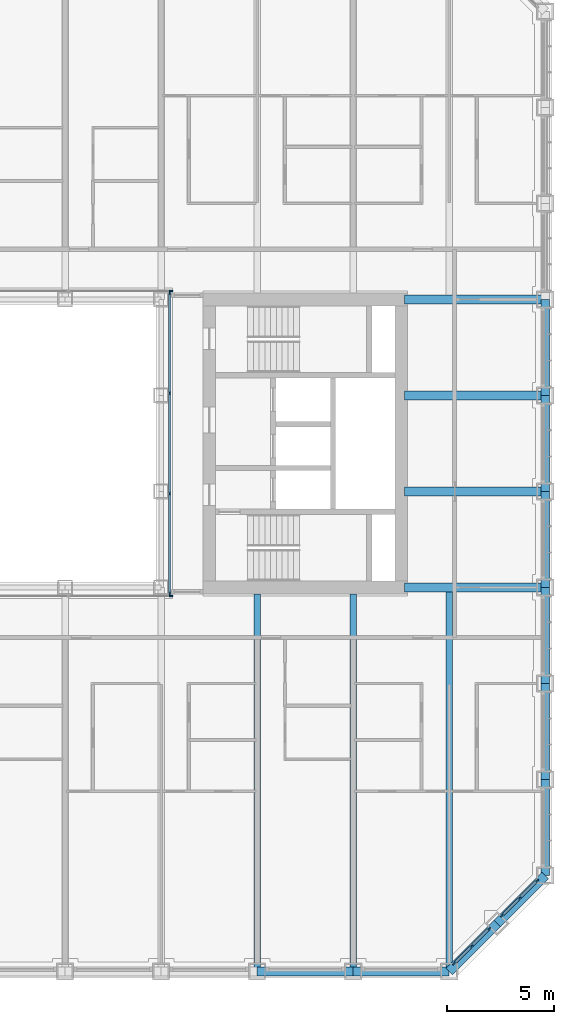
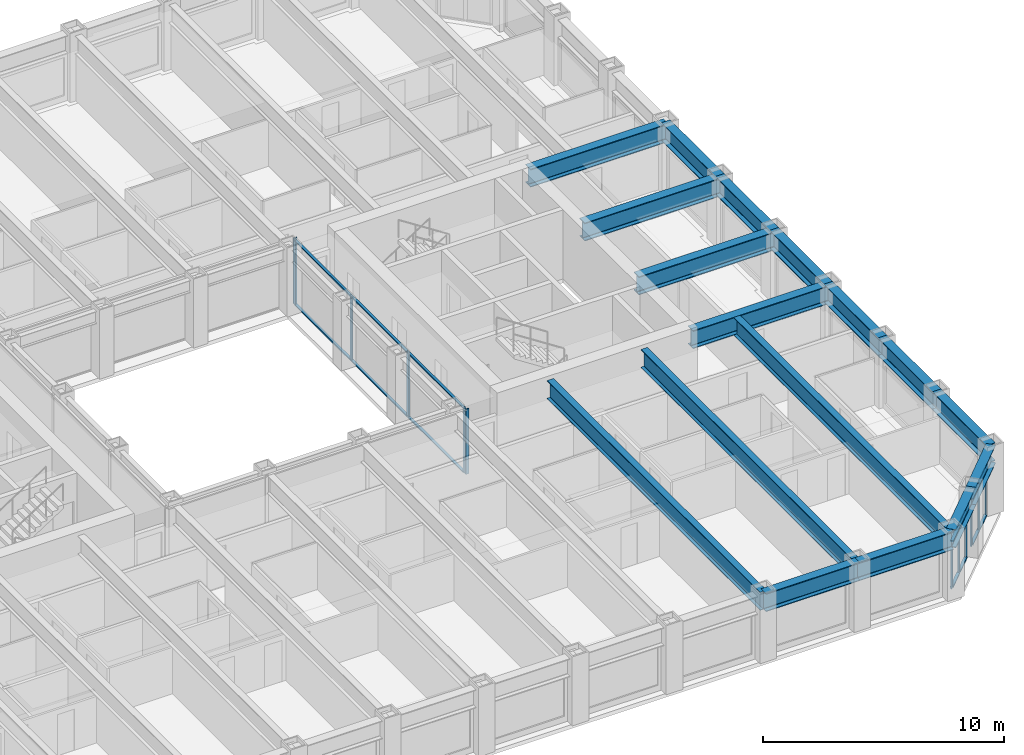
# One storey, part 5 of 21: 26 members, 17 beams, 5 elements without a shape of their own.
"""IFC4 building model written with IfcOpenShell, lengths in metres."""

from ifc_helpers import new_model, si_unit, direction, frame, origin, origin_2d, place, context, subcontext, project, spatial, rectangle, i_section, extrude, material, material_profile, profile_set, type_object, element, aggregate, save


model = new_model("IFC4")

# Units and contexts
model_context = context("Model", 3, precision=1e-05, world=origin(), true_north=direction((0.0, 1.0)))
body_context = subcontext(model_context, "Body", "Model", "MODEL_VIEW")
ifc_project = project(units=[si_unit("LENGTHUNIT", "METRE"), si_unit("AREAUNIT", "SQUARE_METRE"), si_unit("VOLUMEUNIT", "CUBIC_METRE"), si_unit("PLANEANGLEUNIT", "RADIAN"), si_unit("MASSUNIT", "GRAM", prefix="KILO")], contexts=[model_context])

# Site, building, storey
site_placement = place(None, origin())
site = spatial("IfcSite", under=ifc_project, at=site_placement, CompositionType="ELEMENT")
building_placement = place(site_placement, origin())
building = spatial("IfcBuilding", under=site, at=building_placement, Name="Msasa Ring Tower", CompositionType="ELEMENT")
storey_placement = place(building_placement, frame((0.0, 0.0, 44.0)))
storey = spatial("IfcBuildingStorey", under=building, at=storey_placement, Name="L10", CompositionType="ELEMENT", Elevation=44.0)

# Curtain wall, members
ifc_material_1 = material(Name="Aluminium curtain wall with clear glass", Category="aluminium")
curtain_wall_type_1 = type_object("IfcCurtainWallType", Name="CW-C CHAMFER CORNER CURTAIN WALL", PredefinedType="NOTDEFINED", material=ifc_material_1)
curtain_wall_1_placement = place(storey_placement, origin())
curtain_wall_1 = element("IfcCurtainWall", 1, at=curtain_wall_1_placement, inside=storey, type_object=curtain_wall_type_1, Name="Chamfer corner curtain wall SE L10", PredefinedType="NOTDEFINED")
ifc_material_2 = material(Name="Aluminium mullion", Category="aluminium")
ifc_material_profile_1 = material_profile(ifc_material_2, rectangle(XDim=0.06494140625, YDim=0.179931640625, at=origin_2d()), Name="AL 65x180")
ifc_profile_set_1 = profile_set([ifc_material_profile_1], Name="Aluminium mullion")
member_type_1 = type_object("IfcMemberType", Name="CW-C MULLION 65x180", PredefinedType="MULLION", material=ifc_profile_set_1)
member_1_placement = place(storey_placement, frame((20.48876953125, -24.369873046875, 0.0), z_axis=(0.0, 0.0, 1.0), x_axis=(-0.707106781187, 0.707106781187, 0.0)))
member_1 = element("IfcMember", 2, at=member_1_placement, type_object=member_type_1, Name="CW-C mullion 1", PredefinedType="MULLION", context=body_context, shape_type="SweptSolid", body=[
    extrude(rectangle(XDim=0.06494140625, YDim=0.179931640625, at=origin_2d()), origin(), (0.0, 0.0, 1.0), 2.37890625),
])
member_2_placement = place(storey_placement, frame((21.30419921875, -23.55419921875, 0.0), z_axis=(0.0, 0.0, 1.0), x_axis=(-0.707106781187, 0.707106781187, 0.0)))
member_2 = element("IfcMember", 3, at=member_2_placement, type_object=member_type_1, Name="CW-C mullion 2", PredefinedType="MULLION", context=body_context, shape_type="SweptSolid", body=[
    extrude(rectangle(XDim=0.06494140625, YDim=0.179931640625, at=origin_2d()), origin(), (0.0, 0.0, 1.0), 2.37890625),
])
member_3_placement = place(storey_placement, frame((22.119873046875, -22.73876953125, 0.0), z_axis=(0.0, 0.0, 1.0), x_axis=(-0.707106781187, 0.707106781187, 0.0)))
member_3 = element("IfcMember", 4, at=member_3_placement, type_object=member_type_1, Name="CW-C mullion 3", PredefinedType="MULLION", context=body_context, shape_type="SweptSolid", body=[
    extrude(rectangle(XDim=0.06494140625, YDim=0.179931640625, at=origin_2d()), origin(), (0.0, 0.0, 1.0), 2.37890625),
])

curtain_wall_2_placement = place(storey_placement, origin())
curtain_wall_2 = element("IfcCurtainWall", 5, at=curtain_wall_2_placement, inside=storey, type_object=curtain_wall_type_1, Name="Chamfer corner curtain wall SE L10", PredefinedType="NOTDEFINED")
member_4_placement = place(storey_placement, frame((22.73876953125, -22.119873046875, 0.0), z_axis=(0.0, 0.0, 1.0), x_axis=(-0.707106781187, 0.707106781187, 0.0)))
member_4 = element("IfcMember", 6, at=member_4_placement, type_object=member_type_1, Name="CW-C mullion 1", PredefinedType="MULLION", context=body_context, shape_type="SweptSolid", body=[
    extrude(rectangle(XDim=0.06494140625, YDim=0.179931640625, at=origin_2d()), origin(), (0.0, 0.0, 1.0), 2.37890625),
])
member_5_placement = place(storey_placement, frame((23.55419921875, -21.30419921875, 0.0), z_axis=(0.0, 0.0, 1.0), x_axis=(-0.707106781187, 0.707106781187, 0.0)))
member_5 = element("IfcMember", 7, at=member_5_placement, type_object=member_type_1, Name="CW-C mullion 2", PredefinedType="MULLION", context=body_context, shape_type="SweptSolid", body=[
    extrude(rectangle(XDim=0.06494140625, YDim=0.179931640625, at=origin_2d()), origin(), (0.0, 0.0, 1.0), 2.37890625),
])
member_6_placement = place(storey_placement, frame((24.369873046875, -20.48876953125, 0.0), z_axis=(0.0, 0.0, 1.0), x_axis=(-0.707106781187, 0.707106781187, 0.0)))
member_6 = element("IfcMember", 8, at=member_6_placement, type_object=member_type_1, Name="CW-C mullion 3", PredefinedType="MULLION", context=body_context, shape_type="SweptSolid", body=[
    extrude(rectangle(XDim=0.06494140625, YDim=0.179931640625, at=origin_2d()), origin(), (0.0, 0.0, 1.0), 2.37890625),
])

# Member
ifc_material_3 = material(Name="Aluminium transom", Category="aluminium")
ifc_material_profile_2 = material_profile(ifc_material_3, rectangle(XDim=0.139892578125, YDim=0.06494140625, at=origin_2d()), Name="AL 65x140")
ifc_profile_set_2 = profile_set([ifc_material_profile_2], Name="Aluminium transom")
member_type_2 = type_object("IfcMemberType", Name="CW-C TRANSOM 65x140", PredefinedType="USERDEFINED", material=ifc_profile_set_2)
member_7_placement = place(storey_placement, frame((20.51171875, -24.346923828125, 0.032470703125), z_axis=(0.707106781187, 0.707106781187, 0.0), x_axis=(-0.707106781187, 0.707106781187, 0.0)))
member_7 = element("IfcMember", 9, at=member_7_placement, type_object=member_type_2, Name="CW-C transom 1.1", ObjectType="TRANSOM", PredefinedType="USERDEFINED", context=body_context, shape_type="SweptSolid", body=[
    extrude(rectangle(XDim=0.139892578125, YDim=0.06494140625, at=origin_2d()), origin(), (0.0, 0.0, 1.0), 1.08837890625),
])

member_8_placement = place(storey_placement, frame((20.51171875, -24.346923828125, 2.346435546875), z_axis=(0.707106781187, 0.707106781187, 0.0), x_axis=(-0.707106781187, 0.707106781187, 0.0)))
member_8 = element("IfcMember", 10, at=member_8_placement, type_object=member_type_2, Name="CW-C transom 1.2", ObjectType="TRANSOM", PredefinedType="USERDEFINED", context=body_context, shape_type="SweptSolid", body=[
    extrude(rectangle(XDim=0.139892578125, YDim=0.06494140625, at=origin_2d()), origin(), (0.0, 0.0, 1.0), 1.08837890625),
])

member_9_placement = place(storey_placement, frame((21.327392578125, -23.53125, 0.032470703125), z_axis=(0.707106781187, 0.707106781187, 0.0), x_axis=(-0.707106781187, 0.707106781187, 0.0)))
member_9 = element("IfcMember", 11, at=member_9_placement, type_object=member_type_2, Name="CW-C transom 2.1", ObjectType="TRANSOM", PredefinedType="USERDEFINED", context=body_context, shape_type="SweptSolid", body=[
    extrude(rectangle(XDim=0.139892578125, YDim=0.06494140625, at=origin_2d()), origin(), (0.0, 0.0, 1.0), 1.08837890625),
])

member_10_placement = place(storey_placement, frame((21.327392578125, -23.53125, 2.346435546875), z_axis=(0.707106781187, 0.707106781187, 0.0), x_axis=(-0.707106781187, 0.707106781187, 0.0)))
member_10 = element("IfcMember", 12, at=member_10_placement, type_object=member_type_2, Name="CW-C transom 2.2", ObjectType="TRANSOM", PredefinedType="USERDEFINED", context=body_context, shape_type="SweptSolid", body=[
    extrude(rectangle(XDim=0.139892578125, YDim=0.06494140625, at=origin_2d()), origin(), (0.0, 0.0, 1.0), 1.08837890625),
])

aggregate(curtain_wall_1, [member_1, member_2, member_3, member_7, member_8, member_9, member_10])

member_11_placement = place(storey_placement, frame((22.76171875, -22.096923828125, 0.032470703125), z_axis=(0.707106781187, 0.707106781187, 0.0), x_axis=(-0.707106781187, 0.707106781187, 0.0)))
member_11 = element("IfcMember", 13, at=member_11_placement, type_object=member_type_2, Name="CW-C transom 1.1", ObjectType="TRANSOM", PredefinedType="USERDEFINED", context=body_context, shape_type="SweptSolid", body=[
    extrude(rectangle(XDim=0.139892578125, YDim=0.06494140625, at=origin_2d()), origin(), (0.0, 0.0, 1.0), 1.08837890625),
])

member_12_placement = place(storey_placement, frame((22.76171875, -22.096923828125, 2.346435546875), z_axis=(0.707106781187, 0.707106781187, 0.0), x_axis=(-0.707106781187, 0.707106781187, 0.0)))
member_12 = element("IfcMember", 14, at=member_12_placement, type_object=member_type_2, Name="CW-C transom 1.2", ObjectType="TRANSOM", PredefinedType="USERDEFINED", context=body_context, shape_type="SweptSolid", body=[
    extrude(rectangle(XDim=0.139892578125, YDim=0.06494140625, at=origin_2d()), origin(), (0.0, 0.0, 1.0), 1.08837890625),
])

member_13_placement = place(storey_placement, frame((23.577392578125, -21.28125, 0.032470703125), z_axis=(0.707106781187, 0.707106781187, 0.0), x_axis=(-0.707106781187, 0.707106781187, 0.0)))
member_13 = element("IfcMember", 15, at=member_13_placement, type_object=member_type_2, Name="CW-C transom 2.1", ObjectType="TRANSOM", PredefinedType="USERDEFINED", context=body_context, shape_type="SweptSolid", body=[
    extrude(rectangle(XDim=0.139892578125, YDim=0.06494140625, at=origin_2d()), origin(), (0.0, 0.0, 1.0), 1.08837890625),
])

member_14_placement = place(storey_placement, frame((23.577392578125, -21.28125, 2.346435546875), z_axis=(0.707106781187, 0.707106781187, 0.0), x_axis=(-0.707106781187, 0.707106781187, 0.0)))
member_14 = element("IfcMember", 16, at=member_14_placement, type_object=member_type_2, Name="CW-C transom 2.2", ObjectType="TRANSOM", PredefinedType="USERDEFINED", context=body_context, shape_type="SweptSolid", body=[
    extrude(rectangle(XDim=0.139892578125, YDim=0.06494140625, at=origin_2d()), origin(), (0.0, 0.0, 1.0), 1.08837890625),
])

aggregate(curtain_wall_2, [member_4, member_5, member_6, member_11, member_12, member_13, member_14])

# Curtain wall, member
ifc_material_4 = material(Name="Aluminium curtain wall with clear glass", Category="aluminium")
curtain_wall_type_2 = type_object("IfcCurtainWallType", Name="CW-W LIGHT WELL CURTAIN WALL", PredefinedType="NOTDEFINED", material=ifc_material_4)
curtain_wall_3_placement = place(storey_placement, origin())
curtain_wall_3 = element("IfcCurtainWall", 17, at=curtain_wall_3_placement, inside=storey, type_object=curtain_wall_type_2, Name="Light well curtain wall N L10", PredefinedType="NOTDEFINED")
ifc_material_5 = material(Name="Aluminium mullion", Category="aluminium")
ifc_material_profile_3 = material_profile(ifc_material_5, rectangle(XDim=0.06005859375, YDim=0.159912109375, at=origin_2d()), Name="AL 60x160")
ifc_profile_set_3 = profile_set([ifc_material_profile_3], Name="Aluminium mullion")
member_type_3 = type_object("IfcMemberType", Name="CW-W MULLION 60x160", PredefinedType="MULLION", material=ifc_profile_set_3)
member_15_placement = place(storey_placement, frame((7.199951171875, 7.14990234375, 0.0), z_axis=(0.0, 0.0, 1.0), x_axis=(0.0, 1.0, 0.0)))
member_15 = element("IfcMember", 18, at=member_15_placement, type_object=member_type_3, Name="CW-W mullion 4", PredefinedType="MULLION", context=body_context, shape_type="SweptSolid", body=[
    extrude(rectangle(XDim=0.06005859375, YDim=0.159912109375, at=origin_2d()), origin(), (0.0, 0.0, 1.0), 3.300048828125),
])
aggregate(curtain_wall_3, [member_15])

curtain_wall_4_placement = place(storey_placement, origin())
curtain_wall_4 = element("IfcCurtainWall", 19, at=curtain_wall_4_placement, inside=storey, type_object=curtain_wall_type_2, Name="Light well curtain wall S L10", PredefinedType="NOTDEFINED")
member_16_placement = place(storey_placement, frame((7.199951171875, -7.14990234375, 0.0), z_axis=(0.0, 0.0, 1.0), x_axis=(0.0, 1.0, 0.0)))
member_16 = element("IfcMember", 20, at=member_16_placement, type_object=member_type_3, Name="CW-W mullion 4", PredefinedType="MULLION", context=body_context, shape_type="SweptSolid", body=[
    extrude(rectangle(XDim=0.06005859375, YDim=0.159912109375, at=origin_2d()), origin(), (0.0, 0.0, 1.0), 3.300048828125),
])
aggregate(curtain_wall_4, [member_16])

# Curtain wall, members
curtain_wall_5_placement = place(storey_placement, origin())
curtain_wall_5 = element("IfcCurtainWall", 21, at=curtain_wall_5_placement, inside=storey, type_object=curtain_wall_type_2, Name="Light well curtain wall E L10", PredefinedType="NOTDEFINED")
member_17_placement = place(storey_placement, frame((7.14990234375, -7.0400390625, 0.0), z_axis=(0.0, 0.0, 1.0), x_axis=(-1.0, 0.0, 0.0)))
member_17 = element("IfcMember", 22, at=member_17_placement, type_object=member_type_3, Name="CW-W mullion 1", PredefinedType="MULLION", context=body_context, shape_type="SweptSolid", body=[
    extrude(rectangle(XDim=0.06005859375, YDim=0.159912109375, at=origin_2d()), origin(), (0.0, 0.0, 1.0), 3.300048828125),
])
member_18_placement = place(storey_placement, frame((7.14990234375, -2.356689453125, 0.0), z_axis=(0.0, 0.0, 1.0), x_axis=(-1.0, 0.0, 0.0)))
member_18 = element("IfcMember", 23, at=member_18_placement, type_object=member_type_3, Name="CW-W mullion 2", PredefinedType="MULLION", context=body_context, shape_type="SweptSolid", body=[
    extrude(rectangle(XDim=0.06005859375, YDim=0.159912109375, at=origin_2d()), origin(), (0.0, 0.0, 1.0), 3.300048828125),
])
member_19_placement = place(storey_placement, frame((7.14990234375, 2.356689453125, 0.0), z_axis=(0.0, 0.0, 1.0), x_axis=(-1.0, 0.0, 0.0)))
member_19 = element("IfcMember", 24, at=member_19_placement, type_object=member_type_3, Name="CW-W mullion 3", PredefinedType="MULLION", context=body_context, shape_type="SweptSolid", body=[
    extrude(rectangle(XDim=0.06005859375, YDim=0.159912109375, at=origin_2d()), origin(), (0.0, 0.0, 1.0), 3.300048828125),
])
member_20_placement = place(storey_placement, frame((7.14990234375, 7.0400390625, 0.0), z_axis=(0.0, 0.0, 1.0), x_axis=(-1.0, 0.0, 0.0)))
member_20 = element("IfcMember", 25, at=member_20_placement, type_object=member_type_3, Name="CW-W mullion 4", PredefinedType="MULLION", context=body_context, shape_type="SweptSolid", body=[
    extrude(rectangle(XDim=0.06005859375, YDim=0.159912109375, at=origin_2d()), origin(), (0.0, 0.0, 1.0), 3.300048828125),
])
ifc_material_6 = material(Name="Aluminium transom", Category="aluminium")
ifc_material_profile_4 = material_profile(ifc_material_6, rectangle(XDim=0.1201171875, YDim=0.06005859375, at=origin_2d()), Name="AL 60x120")
ifc_profile_set_4 = profile_set([ifc_material_profile_4], Name="Aluminium transom")
member_type_4 = type_object("IfcMemberType", Name="CW-W TRANSOM 60x120", PredefinedType="USERDEFINED", material=ifc_profile_set_4)
member_21_placement = place(storey_placement, frame((7.14990234375, -7.010009765625, 0.030029296875), z_axis=(0.0, 1.0, 0.0), x_axis=(-1.0, 0.0, 0.0)))
member_21 = element("IfcMember", 26, at=member_21_placement, type_object=member_type_4, Name="CW-W transom 1.1", ObjectType="TRANSOM", PredefinedType="USERDEFINED", context=body_context, shape_type="SweptSolid", body=[
    extrude(rectangle(XDim=0.1201171875, YDim=0.06005859375, at=origin_2d()), origin(), (0.0, 0.0, 1.0), 4.623291015625),
])
member_22_placement = place(storey_placement, frame((7.14990234375, -7.010009765625, 3.27001953125), z_axis=(0.0, 1.0, 0.0), x_axis=(-1.0, 0.0, 0.0)))
member_22 = element("IfcMember", 27, at=member_22_placement, type_object=member_type_4, Name="CW-W transom 1.2", ObjectType="TRANSOM", PredefinedType="USERDEFINED", context=body_context, shape_type="SweptSolid", body=[
    extrude(rectangle(XDim=0.1201171875, YDim=0.06005859375, at=origin_2d()), origin(), (0.0, 0.0, 1.0), 4.623291015625),
])
member_23_placement = place(storey_placement, frame((7.14990234375, -2.32666015625, 0.030029296875), z_axis=(0.0, 1.0, 0.0), x_axis=(-1.0, 0.0, 0.0)))
member_23 = element("IfcMember", 28, at=member_23_placement, type_object=member_type_4, Name="CW-W transom 2.1", ObjectType="TRANSOM", PredefinedType="USERDEFINED", context=body_context, shape_type="SweptSolid", body=[
    extrude(rectangle(XDim=0.1201171875, YDim=0.06005859375, at=origin_2d()), origin(), (0.0, 0.0, 1.0), 4.6533203125),
])
member_24_placement = place(storey_placement, frame((7.14990234375, -2.32666015625, 3.27001953125), z_axis=(0.0, 1.0, 0.0), x_axis=(-1.0, 0.0, 0.0)))
member_24 = element("IfcMember", 29, at=member_24_placement, type_object=member_type_4, Name="CW-W transom 2.2", ObjectType="TRANSOM", PredefinedType="USERDEFINED", context=body_context, shape_type="SweptSolid", body=[
    extrude(rectangle(XDim=0.1201171875, YDim=0.06005859375, at=origin_2d()), origin(), (0.0, 0.0, 1.0), 4.6533203125),
])
member_25_placement = place(storey_placement, frame((7.14990234375, 2.38671875, 0.030029296875), z_axis=(0.0, 1.0, 0.0), x_axis=(-1.0, 0.0, 0.0)))
member_25 = element("IfcMember", 30, at=member_25_placement, type_object=member_type_4, Name="CW-W transom 3.1", ObjectType="TRANSOM", PredefinedType="USERDEFINED", context=body_context, shape_type="SweptSolid", body=[
    extrude(rectangle(XDim=0.1201171875, YDim=0.06005859375, at=origin_2d()), origin(), (0.0, 0.0, 1.0), 4.623291015625),
])
member_26_placement = place(storey_placement, frame((7.14990234375, 2.38671875, 3.27001953125), z_axis=(0.0, 1.0, 0.0), x_axis=(-1.0, 0.0, 0.0)))
member_26 = element("IfcMember", 31, at=member_26_placement, type_object=member_type_4, Name="CW-W transom 3.2", ObjectType="TRANSOM", PredefinedType="USERDEFINED", context=body_context, shape_type="SweptSolid", body=[
    extrude(rectangle(XDim=0.1201171875, YDim=0.06005859375, at=origin_2d()), origin(), (0.0, 0.0, 1.0), 4.623291015625),
])
aggregate(curtain_wall_5, [member_17, member_18, member_19, member_20, member_21, member_22, member_23, member_24, member_25, member_26])

# Beams
ifc_material_7 = material(Name="Steel S355", Category="steel")
ifc_material_profile_5 = material_profile(ifc_material_7, i_section(OverallWidth=0.42041015625, OverallDepth=0.9208984375, WebThickness=0.021484375, FlangeThickness=0.03662109375, FilletRadius=0.024169921875, at=origin_2d()), Name="UB 914x419x388")
ifc_profile_set_5 = profile_set([ifc_material_profile_5], Name="Steel S355")
beam_type_1 = type_object("IfcBeamType", Name="FB2 UB 914x419x388", PredefinedType="BEAM", material=ifc_profile_set_5)
for number, where, z_axis, x_axis, name in (
    (32, (24.75, -2.25, 2.839599609375), (-1.0, 0.0, 0.0), (0.0, -1.0, 0.0), "Floor beam E -2.25 under L11"),
    (33, (24.75, 2.25, 2.839599609375), (-1.0, 0.0, 0.0), (0.0, -1.0, 0.0), "Floor beam E +2.25 under L11"),
):
    element("IfcBeam", number, at=place(storey_placement, frame(where, z_axis=z_axis, x_axis=x_axis)), inside=storey, type_object=beam_type_1, Name=name, PredefinedType="BEAM", context=body_context, shape_type="SweptSolid", body=[
        extrude(i_section(OverallWidth=0.42041015625, OverallDepth=0.9208984375, WebThickness=0.021484375, FlangeThickness=0.03662109375, FilletRadius=0.024169921875, at=origin_2d()), origin(), (0.0, 0.0, 1.0), 6.60009765625),
    ])
ifc_material_8 = material(Name="Steel S355", Category="steel")
ifc_material_profile_6 = material_profile(ifc_material_8, i_section(OverallWidth=0.3076171875, OverallDepth=0.926513671875, WebThickness=0.01953125, FlangeThickness=0.031982421875, FilletRadius=0.01904296875, at=origin_2d()), Name="UB 914x305x289")
ifc_profile_set_6 = profile_set([ifc_material_profile_6], Name="Steel S355")
beam_type_2 = type_object("IfcBeamType", Name="FB3 UB 914x305x289", PredefinedType="BEAM", material=ifc_profile_set_6)
for number, where, z_axis, x_axis, name in (
    (34, (11.25, -24.75, 2.836669921875), (0.0, 1.0, 0.0), (-1.0, 0.0, 0.0), "Floor beam S+11.25 under L11"),
    (35, (15.75, -24.75, 2.836669921875), (0.0, 1.0, 0.0), (-1.0, 0.0, 0.0), "Floor beam S+15.75 under L11"),
):
    element("IfcBeam", number, at=place(storey_placement, frame(where, z_axis=z_axis, x_axis=x_axis)), inside=storey, type_object=beam_type_2, Name=name, PredefinedType="BEAM", context=body_context, shape_type="SweptSolid", body=[
        extrude(i_section(OverallWidth=0.3076171875, OverallDepth=0.926513671875, WebThickness=0.01953125, FlangeThickness=0.031982421875, FilletRadius=0.01904296875, at=origin_2d()), origin(), (0.0, 0.0, 1.0), 17.699951171875),
    ])
beam_placement = place(storey_placement, frame((20.25, -24.75, 2.836669921875), z_axis=(0.0, 1.0, 0.0), x_axis=(-1.0, 0.0, 0.0)))
element("IfcBeam", 36, at=beam_placement, inside=storey, type_object=beam_type_2, Name="Floor beam S+20.25 under L11", PredefinedType="BEAM", context=body_context, shape_type="SweptSolid", body=[
    extrude(i_section(OverallWidth=0.3076171875, OverallDepth=0.926513671875, WebThickness=0.01953125, FlangeThickness=0.031982421875, FilletRadius=0.01904296875, at=origin_2d()), origin(), (0.0, 0.0, 1.0), 17.789794921875),
])
ifc_material_9 = material(Name="Steel S355", Category="steel")
ifc_material_profile_7 = material_profile(ifc_material_9, i_section(OverallWidth=0.42041015625, OverallDepth=0.9208984375, WebThickness=0.021484375, FlangeThickness=0.03662109375, FilletRadius=0.024169921875, at=origin_2d()), Name="UB 914x419x388")
ifc_profile_set_7 = profile_set([ifc_material_profile_7], Name="Steel S355")
beam_type_3 = type_object("IfcBeamType", Name="GB1 UB 914x419x388", PredefinedType="BEAM", material=ifc_profile_set_7)
for number, where, z_axis, x_axis, name in (
    (37, (18.14990234375, 6.75, 2.839599609375), (1.0, 0.0, 0.0), (0.0, 1.0, 0.0), "Girder E +6.75 under L11"),
    (38, (18.14990234375, -6.75, 2.839599609375), (1.0, 0.0, 0.0), (0.0, 1.0, 0.0), "Girder E -6.75 under L11"),
):
    element("IfcBeam", number, at=place(storey_placement, frame(where, z_axis=z_axis, x_axis=x_axis)), inside=storey, type_object=beam_type_3, Name=name, PredefinedType="BEAM", context=body_context, shape_type="SweptSolid", body=[
        extrude(i_section(OverallWidth=0.42041015625, OverallDepth=0.9208984375, WebThickness=0.021484375, FlangeThickness=0.03662109375, FilletRadius=0.024169921875, at=origin_2d()), origin(), (0.0, 0.0, 1.0), 6.60009765625),
    ])
ifc_material_10 = material(Name="Steel S355", Category="steel")
ifc_material_profile_8 = material_profile(ifc_material_10, i_section(OverallWidth=0.42041015625, OverallDepth=0.9208984375, WebThickness=0.021484375, FlangeThickness=0.03662109375, FilletRadius=0.024169921875, at=origin_2d()), Name="UB 914x419x388")
ifc_profile_set_8 = profile_set([ifc_material_profile_8], Name="Steel S355")
beam_type_4 = type_object("IfcBeamType", Name="SB1 UB 914x419x388", PredefinedType="SPANDREL", material=ifc_profile_set_8)
for number, where, z_axis, x_axis, name in (
    (39, (11.25, -24.75, 2.839599609375), (1.0, 0.0, 0.0), (0.0, 1.0, 0.0), "Spandrel S+11.25 to S+15.75 under L11"),
    (40, (15.75, -24.75, 2.839599609375), (1.0, 0.0, 0.0), (0.0, 1.0, 0.0), "Spandrel S+15.75 to S+20.25 under L11"),
):
    element("IfcBeam", number, at=place(storey_placement, frame(where, z_axis=z_axis, x_axis=x_axis)), inside=storey, type_object=beam_type_4, Name=name, PredefinedType="SPANDREL", context=body_context, shape_type="SweptSolid", body=[
        extrude(i_section(OverallWidth=0.42041015625, OverallDepth=0.9208984375, WebThickness=0.021484375, FlangeThickness=0.03662109375, FilletRadius=0.024169921875, at=origin_2d()), origin(), (0.0, 0.0, 1.0), 4.5),
    ])
for number, where, z_axis, x_axis, name in (
    (41, (20.25, -24.75, 2.839599609375), (0.707106781187, 0.707106781187, 0.0), (-0.707106781187, 0.707106781187, 0.0), "Spandrel S+20.25 to SE under L11"),
    (42, (22.5, -22.5, 2.839599609375), (0.707106781187, 0.707106781187, 0.0), (-0.707106781187, 0.707106781187, 0.0), "Spandrel SE to E-20.25 under L11"),
):
    element("IfcBeam", number, at=place(storey_placement, frame(where, z_axis=z_axis, x_axis=x_axis)), inside=storey, type_object=beam_type_4, Name=name, PredefinedType="SPANDREL", context=body_context, shape_type="SweptSolid", body=[
        extrude(i_section(OverallWidth=0.42041015625, OverallDepth=0.9208984375, WebThickness=0.021484375, FlangeThickness=0.03662109375, FilletRadius=0.024169921875, at=origin_2d()), origin(), (0.0, 0.0, 1.0), 3.181884765625),
    ])
for number, where, z_axis, x_axis, name in (
    (43, (24.75, -20.25, 2.839599609375), (0.0, 1.0, 0.0), (-1.0, 0.0, 0.0), "Spandrel E-20.25 to E-15.75 under L11"),
    (44, (24.75, -15.75, 2.839599609375), (0.0, 1.0, 0.0), (-1.0, 0.0, 0.0), "Spandrel E-15.75 to E-11.25 under L11"),
    (45, (24.75, -11.25, 2.839599609375), (0.0, 1.0, 0.0), (-1.0, 0.0, 0.0), "Spandrel E-11.25 to E-6.75 under L11"),
    (46, (24.75, -6.75, 2.839599609375), (0.0, 1.0, 0.0), (-1.0, 0.0, 0.0), "Spandrel E-6.75 to E-2.25 under L11"),
    (47, (24.75, -2.25, 2.839599609375), (0.0, 1.0, 0.0), (-1.0, 0.0, 0.0), "Spandrel E-2.25 to E+2.25 under L11"),
    (48, (24.75, 2.25, 2.839599609375), (0.0, 1.0, 0.0), (-1.0, 0.0, 0.0), "Spandrel E+2.25 to E+6.75 under L11"),
):
    element("IfcBeam", number, at=place(storey_placement, frame(where, z_axis=z_axis, x_axis=x_axis)), inside=storey, type_object=beam_type_4, Name=name, PredefinedType="SPANDREL", context=body_context, shape_type="SweptSolid", body=[
        extrude(i_section(OverallWidth=0.42041015625, OverallDepth=0.9208984375, WebThickness=0.021484375, FlangeThickness=0.03662109375, FilletRadius=0.024169921875, at=origin_2d()), origin(), (0.0, 0.0, 1.0), 4.5),
    ])

save(model, "model.ifc")
